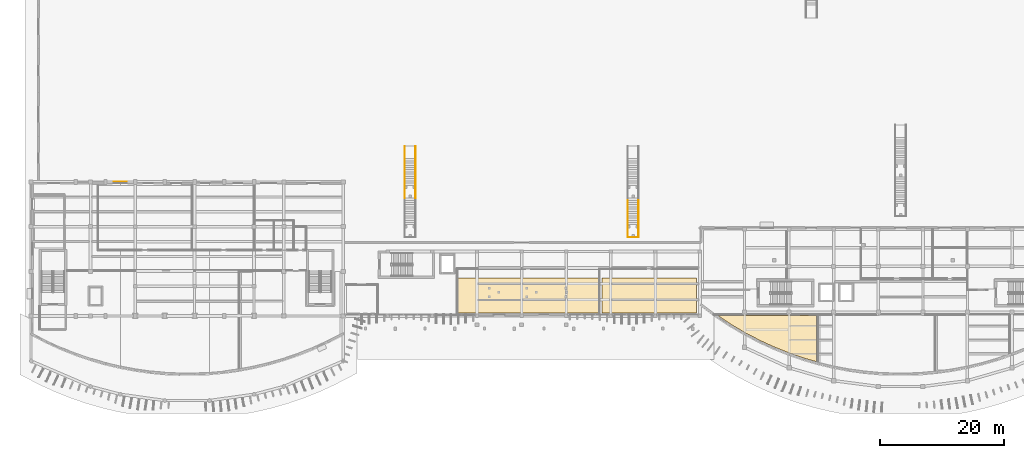
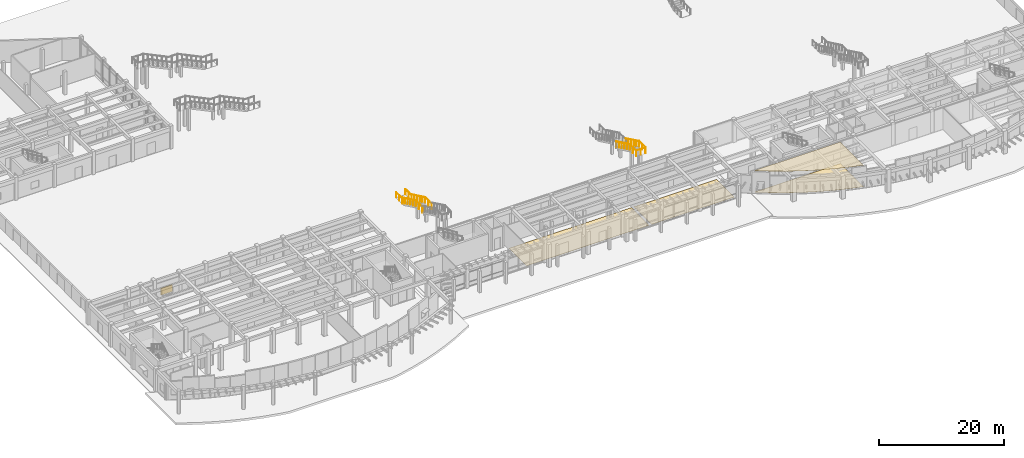
# One storey, part 49 of 58: 11 railings, 4 coverings, 1 shading device.
"""IFC4 building model written with IfcOpenShell, lengths in metres."""

from ifc_helpers import new_model, si_unit, direction, frame, origin, origin_2d, place, context, subcontext, project, spatial, polyline, rectangle, circle, outline, extrude, material, layer, layer_set, type_object, element, save


model = new_model("IFC4")

# Units and contexts
model_context = context("Model", 3, precision=1e-05, world=origin(), true_north=direction((0.0, 1.0)))
body_context = subcontext(model_context, "Body", "Model", "MODEL_VIEW")
ifc_project = project(units=[si_unit("LENGTHUNIT", "METRE"), si_unit("AREAUNIT", "SQUARE_METRE"), si_unit("VOLUMEUNIT", "CUBIC_METRE"), si_unit("PLANEANGLEUNIT", "RADIAN"), si_unit("MASSUNIT", "GRAM", prefix="KILO")], contexts=[model_context])

# Site, building, storey
site_placement = place(None, origin())
site = spatial("IfcSite", under=ifc_project, at=site_placement, CompositionType="ELEMENT")
building_placement = place(site_placement, origin())
building = spatial("IfcBuilding", under=site, at=building_placement, Name="Brisavento Harbour Community Centre", CompositionType="ELEMENT")
storey_placement = place(building_placement, origin())
storey = spatial("IfcBuildingStorey", under=building, at=storey_placement, Name="L00", CompositionType="ELEMENT", Elevation=0.0)

# Coverings
ifc_material_1 = material(Name="Perforated acoustic gypsum ceiling board", Category="other")
ifc_layer_1 = layer(ifc_material_1, 0.02490234375, Name="Perforated acoustic gypsum ceiling board")
ifc_layer_set_1 = layer_set([ifc_layer_1], Name="Perforated acoustic gypsum ceiling board")
covering_type_1 = type_object("IfcCoveringType", Name="COV-CEIL-AC", PredefinedType="CEILING", material=ifc_layer_set_1)
covering_1_placement = place(storey_placement, frame((0.0, 0.0, 4.215087890625)))
element("IfcCovering", 1, at=covering_1_placement, inside=storey, type_object=covering_type_1, Name="L00 Nursery Playroom East acoustic ceiling", PredefinedType="CEILING", context=body_context, shape_type="SweptSolid", body=[
    extrude(outline(polyline([(110.8955078125, 14.449951171875), (112.996826171875, 13.042724609375), (115.37939453125, 11.637939453125), (117.762451171875, 10.397705078125), (120.145263671875, 9.30908203125), (122.5283203125, 8.362060546875), (124.9111328125, 7.548095703125), (126.85009765625, 6.9892578125), (126.85009765625, 14.449951171875), (110.8955078125, 14.449951171875)])), origin(), (0.0, 0.0, 1.0), 0.02490234375),
])
ifc_material_2 = material(Name="Polished marine terrazzo tile", Category="other")
ifc_layer_2 = layer(ifc_material_2, 0.02001953125, Name="Polished marine terrazzo tile")
ifc_layer_set_2 = layer_set([ifc_layer_2], Name="Polished marine terrazzo tile")
covering_type_2 = type_object("IfcCoveringType", Name="COV-FLR-TRZ", PredefinedType="FLOORING", material=ifc_layer_set_2)
covering_2_placement = place(storey_placement, origin())
element("IfcCovering", 2, at=covering_2_placement, inside=storey, type_object=covering_type_2, Name="L00 Civic Entrance Concourse terrazzo flooring", PredefinedType="FLOORING", context=body_context, shape_type="SweptSolid", body=[
    extrude(outline(polyline([(68.949951171875, 14.85009765625), (91.64990234375, 14.85009765625), (91.64990234375, 20.530029296875), (68.949951171875, 20.530029296875), (68.949951171875, 14.85009765625)])), origin(), (0.0, 0.0, 1.0), 0.02001953125),
])
covering_3_placement = place(storey_placement, origin())
element("IfcCovering", 3, at=covering_3_placement, inside=storey, type_object=covering_type_2, Name="L00 Waterfront Cafe terrazzo flooring", PredefinedType="FLOORING", context=body_context, shape_type="SweptSolid", body=[
    extrude(outline(polyline([(107.449951171875, 14.85009765625), (107.449951171875, 20.530029296875), (92.14990234375, 20.530029296875), (92.14990234375, 14.85009765625), (107.449951171875, 14.85009765625)])), origin(), (0.0, 0.0, 1.0), 0.02001953125),
])
covering_4_placement = place(storey_placement, origin())
element("IfcCovering", 4, at=covering_4_placement, inside=storey, type_object=covering_type_2, Name="L00 Nursery Playroom East terrazzo flooring", PredefinedType="FLOORING", context=body_context, shape_type="SweptSolid", body=[
    extrude(outline(polyline([(110.8955078125, 14.449951171875), (112.996826171875, 13.042724609375), (115.37939453125, 11.637939453125), (117.762451171875, 10.397705078125), (120.145263671875, 9.30908203125), (122.5283203125, 8.362060546875), (124.9111328125, 7.548095703125), (126.85009765625, 6.9892578125), (126.85009765625, 14.449951171875), (110.8955078125, 14.449951171875)])), origin(), (0.0, 0.0, 1.0), 0.02001953125),
])

# Railings
ifc_material_3 = material(Name="Stainless steel 1.4401", Category="steel")
railing_type = type_object("IfcRailingType", Name="RL-ST-GUARD", PredefinedType="GUARDRAIL", material=ifc_material_3)
railing_1_placement = place(storey_placement, frame((60.330078125, 41.81005859375, 0.0)))
element("IfcRailing", 5, at=railing_1_placement, inside=storey, type_object=railing_type, Name="L00 MST-01 L L1 stair guard", PredefinedType="GUARDRAIL", context=body_context, shape_type="SweptSolid", body=[
    extrude(circle(Radius=0.02392578125, at=origin_2d()), frame((0.0, 0.0, 1.09619140625), z_axis=(0.0, -1.0, 0.0), x_axis=(1.0, 0.0, 0.0)), (0.0, 0.0, 1.0), 2.010009765625),
    extrude(circle(Radius=0.02099609375, at=origin_2d()), origin(), (0.0, 0.0, 1.0), 1.072021484375),
    extrude(circle(Radius=0.02099609375, at=origin_2d()), frame((0.0, -1.0048828125, 0.0)), (0.0, 0.0, 1.0), 1.072021484375),
    extrude(circle(Radius=0.02099609375, at=origin_2d()), frame((0.0, -2.010009765625, 0.0)), (0.0, 0.0, 1.0), 1.072021484375),
])
railing_2_placement = place(storey_placement, frame((60.330078125, 39.800048828125, 0.173095703125)))
element("IfcRailing", 6, at=railing_2_placement, inside=storey, type_object=railing_type, Name="L00 MST-01 L F1 stair guard", PredefinedType="GUARDRAIL", context=body_context, shape_type="SweptSolid", body=[
    extrude(circle(Radius=0.02392578125, at=origin_2d()), frame((0.0, 0.0, 1.09619140625), z_axis=(0.0, -0.901256631912, 0.433285683395), x_axis=(1.0, 0.0, 0.0)), (0.0, 0.0, 1.0), 4.79345703125),
    extrude(circle(Radius=0.02099609375, at=origin_2d()), origin(), (0.0, 0.0, 1.0), 1.072021484375),
    extrude(circle(Radius=0.02099609375, at=origin_2d()), frame((0.0, -0.864013671875, 0.415283203125)), (0.0, 0.0, 1.0), 1.072021484375),
    extrude(circle(Radius=0.02099609375, at=origin_2d()), frame((0.0, -1.72802734375, 0.830810546875)), (0.0, 0.0, 1.0), 1.072021484375),
    extrude(circle(Radius=0.02099609375, at=origin_2d()), frame((0.0, -2.592041015625, 1.24609375)), (0.0, 0.0, 1.0), 1.072021484375),
    extrude(circle(Radius=0.02099609375, at=origin_2d()), frame((0.0, -3.4560546875, 1.66162109375)), (0.0, 0.0, 1.0), 1.072021484375),
    extrude(circle(Radius=0.02099609375, at=origin_2d()), frame((0.0, -4.320068359375, 2.076904296875)), (0.0, 0.0, 1.0), 1.072021484375),
])
railing_3_placement = place(storey_placement, frame((60.330078125, 35.52001953125, 2.25)))
element("IfcRailing", 7, at=railing_3_placement, inside=storey, type_object=railing_type, Name="L00 MST-01 L L2 stair guard", PredefinedType="GUARDRAIL", context=body_context, shape_type="SweptSolid", body=[
    extrude(circle(Radius=0.02392578125, at=origin_2d()), frame((0.0, 0.0, 1.09619140625), z_axis=(0.0, -1.0, 0.0), x_axis=(1.0, 0.0, 0.0)), (0.0, 0.0, 1.0), 2.130126953125),
    extrude(circle(Radius=0.02099609375, at=origin_2d()), origin(), (0.0, 0.0, 1.0), 1.072021484375),
    extrude(circle(Radius=0.02099609375, at=origin_2d()), frame((0.0, -1.06494140625, 0.0)), (0.0, 0.0, 1.0), 1.072021484375),
    extrude(circle(Radius=0.02099609375, at=origin_2d()), frame((0.0, -2.130126953125, 0.0)), (0.0, 0.0, 1.0), 1.072021484375),
])
railing_4_placement = place(storey_placement, frame((62.070068359375, 41.81005859375, 0.0)))
element("IfcRailing", 8, at=railing_4_placement, inside=storey, type_object=railing_type, Name="L00 MST-01 R L1 stair guard", PredefinedType="GUARDRAIL", context=body_context, shape_type="SweptSolid", body=[
    extrude(circle(Radius=0.02392578125, at=origin_2d()), frame((0.0, 0.0, 1.09619140625), z_axis=(0.0, -1.0, 0.0), x_axis=(1.0, 0.0, 0.0)), (0.0, 0.0, 1.0), 2.010009765625),
    extrude(circle(Radius=0.02099609375, at=origin_2d()), origin(), (0.0, 0.0, 1.0), 1.072021484375),
    extrude(circle(Radius=0.02099609375, at=origin_2d()), frame((0.0, -1.0048828125, 0.0)), (0.0, 0.0, 1.0), 1.072021484375),
    extrude(circle(Radius=0.02099609375, at=origin_2d()), frame((0.0, -2.010009765625, 0.0)), (0.0, 0.0, 1.0), 1.072021484375),
])
railing_5_placement = place(storey_placement, frame((62.070068359375, 39.800048828125, 0.173095703125)))
element("IfcRailing", 9, at=railing_5_placement, inside=storey, type_object=railing_type, Name="L00 MST-01 R F1 stair guard", PredefinedType="GUARDRAIL", context=body_context, shape_type="SweptSolid", body=[
    extrude(circle(Radius=0.02392578125, at=origin_2d()), frame((0.0, 0.0, 1.09619140625), z_axis=(0.0, -0.901256631912, 0.433285683395), x_axis=(1.0, 0.0, 0.0)), (0.0, 0.0, 1.0), 4.79345703125),
    extrude(circle(Radius=0.02099609375, at=origin_2d()), origin(), (0.0, 0.0, 1.0), 1.072021484375),
    extrude(circle(Radius=0.02099609375, at=origin_2d()), frame((0.0, -0.864013671875, 0.415283203125)), (0.0, 0.0, 1.0), 1.072021484375),
    extrude(circle(Radius=0.02099609375, at=origin_2d()), frame((0.0, -1.72802734375, 0.830810546875)), (0.0, 0.0, 1.0), 1.072021484375),
    extrude(circle(Radius=0.02099609375, at=origin_2d()), frame((0.0, -2.592041015625, 1.24609375)), (0.0, 0.0, 1.0), 1.072021484375),
    extrude(circle(Radius=0.02099609375, at=origin_2d()), frame((0.0, -3.4560546875, 1.66162109375)), (0.0, 0.0, 1.0), 1.072021484375),
    extrude(circle(Radius=0.02099609375, at=origin_2d()), frame((0.0, -4.320068359375, 2.076904296875)), (0.0, 0.0, 1.0), 1.072021484375),
])
railing_6_placement = place(storey_placement, frame((62.070068359375, 35.52001953125, 2.25)))
element("IfcRailing", 10, at=railing_6_placement, inside=storey, type_object=railing_type, Name="L00 MST-01 R L2 stair guard", PredefinedType="GUARDRAIL", context=body_context, shape_type="SweptSolid", body=[
    extrude(circle(Radius=0.02392578125, at=origin_2d()), frame((0.0, 0.0, 1.09619140625), z_axis=(0.0, -1.0, 0.0), x_axis=(1.0, 0.0, 0.0)), (0.0, 0.0, 1.0), 2.130126953125),
    extrude(circle(Radius=0.02099609375, at=origin_2d()), origin(), (0.0, 0.0, 1.0), 1.072021484375),
    extrude(circle(Radius=0.02099609375, at=origin_2d()), frame((0.0, -1.06494140625, 0.0)), (0.0, 0.0, 1.0), 1.072021484375),
    extrude(circle(Radius=0.02099609375, at=origin_2d()), frame((0.0, -2.130126953125, 0.0)), (0.0, 0.0, 1.0), 1.072021484375),
])
railing_7_placement = place(storey_placement, frame((96.330078125, 33.429931640625, 2.423095703125)))
element("IfcRailing", 11, at=railing_7_placement, inside=storey, type_object=railing_type, Name="L00 MST-02 L F2 stair guard", PredefinedType="GUARDRAIL", context=body_context, shape_type="SweptSolid", body=[
    extrude(circle(Radius=0.02392578125, at=origin_2d()), frame((0.0, 0.0, 1.09619140625), z_axis=(0.0, -0.901247069301, 0.433305573558), x_axis=(1.0, 0.0, 0.0)), (0.0, 0.0, 1.0), 4.793212890625),
    extrude(circle(Radius=0.02099609375, at=origin_2d()), origin(), (0.0, 0.0, 1.0), 1.072021484375),
    extrude(circle(Radius=0.02099609375, at=origin_2d()), frame((0.0, -0.864013671875, 0.415283203125)), (0.0, 0.0, 1.0), 1.072021484375),
    extrude(circle(Radius=0.02099609375, at=origin_2d()), frame((0.0, -1.72802734375, 0.830810546875)), (0.0, 0.0, 1.0), 1.072021484375),
    extrude(circle(Radius=0.02099609375, at=origin_2d()), frame((0.0, -2.591796875, 1.24609375)), (0.0, 0.0, 1.0), 1.072021484375),
    extrude(circle(Radius=0.02099609375, at=origin_2d()), frame((0.0, -3.455810546875, 1.66162109375)), (0.0, 0.0, 1.0), 1.072021484375),
    extrude(circle(Radius=0.02099609375, at=origin_2d()), frame((0.0, -4.31982421875, 2.076904296875)), (0.0, 0.0, 1.0), 1.072021484375),
])
railing_8_placement = place(storey_placement, frame((96.330078125, 29.14990234375, 4.5)))
element("IfcRailing", 12, at=railing_8_placement, inside=storey, type_object=railing_type, Name="L00 MST-02 L L3 stair guard", PredefinedType="GUARDRAIL", context=body_context, shape_type="SweptSolid", body=[
    extrude(circle(Radius=0.02392578125, at=origin_2d()), frame((0.0, 0.0, 1.09619140625), z_axis=(0.0, -1.0, 0.0), x_axis=(1.0, 0.0, 0.0)), (0.0, 0.0, 1.0), 2.0498046875),
    extrude(circle(Radius=0.02099609375, at=origin_2d()), origin(), (0.0, 0.0, 1.0), 1.072021484375),
    extrude(circle(Radius=0.02099609375, at=origin_2d()), frame((0.0, -1.02490234375, 0.0)), (0.0, 0.0, 1.0), 1.072021484375),
    extrude(circle(Radius=0.02099609375, at=origin_2d()), frame((0.0, -2.0498046875, 0.0)), (0.0, 0.0, 1.0), 1.072021484375),
])
railing_9_placement = place(storey_placement, frame((98.070068359375, 33.429931640625, 2.423095703125)))
element("IfcRailing", 13, at=railing_9_placement, inside=storey, type_object=railing_type, Name="L00 MST-02 R F2 stair guard", PredefinedType="GUARDRAIL", context=body_context, shape_type="SweptSolid", body=[
    extrude(circle(Radius=0.02392578125, at=origin_2d()), frame((0.0, 0.0, 1.09619140625), z_axis=(0.0, -0.901247069301, 0.433305573558), x_axis=(1.0, 0.0, 0.0)), (0.0, 0.0, 1.0), 4.793212890625),
    extrude(circle(Radius=0.02099609375, at=origin_2d()), origin(), (0.0, 0.0, 1.0), 1.072021484375),
    extrude(circle(Radius=0.02099609375, at=origin_2d()), frame((0.0, -0.864013671875, 0.415283203125)), (0.0, 0.0, 1.0), 1.072021484375),
    extrude(circle(Radius=0.02099609375, at=origin_2d()), frame((0.0, -1.72802734375, 0.830810546875)), (0.0, 0.0, 1.0), 1.072021484375),
    extrude(circle(Radius=0.02099609375, at=origin_2d()), frame((0.0, -2.591796875, 1.24609375)), (0.0, 0.0, 1.0), 1.072021484375),
    extrude(circle(Radius=0.02099609375, at=origin_2d()), frame((0.0, -3.455810546875, 1.66162109375)), (0.0, 0.0, 1.0), 1.072021484375),
    extrude(circle(Radius=0.02099609375, at=origin_2d()), frame((0.0, -4.31982421875, 2.076904296875)), (0.0, 0.0, 1.0), 1.072021484375),
])
railing_10_placement = place(storey_placement, frame((98.070068359375, 29.14990234375, 4.5)))
element("IfcRailing", 14, at=railing_10_placement, inside=storey, type_object=railing_type, Name="L00 MST-02 R L3 stair guard", PredefinedType="GUARDRAIL", context=body_context, shape_type="SweptSolid", body=[
    extrude(circle(Radius=0.02392578125, at=origin_2d()), frame((0.0, 0.0, 1.09619140625), z_axis=(0.0, -1.0, 0.0), x_axis=(1.0, 0.0, 0.0)), (0.0, 0.0, 1.0), 2.0498046875),
    extrude(circle(Radius=0.02099609375, at=origin_2d()), origin(), (0.0, 0.0, 1.0), 1.072021484375),
    extrude(circle(Radius=0.02099609375, at=origin_2d()), frame((0.0, -1.02490234375, 0.0)), (0.0, 0.0, 1.0), 1.072021484375),
    extrude(circle(Radius=0.02099609375, at=origin_2d()), frame((0.0, -2.0498046875, 0.0)), (0.0, 0.0, 1.0), 1.072021484375),
])
railing_11_placement = place(storey_placement, frame((96.330078125, 27.10009765625, 4.5)))
element("IfcRailing", 15, at=railing_11_placement, inside=storey, type_object=railing_type, Name="L00 MST-02 top landing end guard", PredefinedType="GUARDRAIL", context=body_context, shape_type="SweptSolid", body=[
    extrude(circle(Radius=0.02392578125, at=origin_2d()), frame((0.0, 0.0, 1.09619140625), z_axis=(1.0, 0.0, 0.0), x_axis=(0.0, 1.0, 0.0)), (0.0, 0.0, 1.0), 1.739990234375),
    extrude(circle(Radius=0.02099609375, at=origin_2d()), origin(), (0.0, 0.0, 1.0), 1.072021484375),
    extrude(circle(Radius=0.02099609375, at=origin_2d()), frame((0.8701171875, 0.0, 0.0)), (0.0, 0.0, 1.0), 1.072021484375),
    extrude(circle(Radius=0.02099609375, at=origin_2d()), frame((1.739990234375, 0.0, 0.0)), (0.0, 0.0, 1.0), 1.072021484375),
])

# Shading device
ifc_material_4 = material(Name="Marine-anodised aluminium AW-6063-T6", Category="aluminium")
ifc_layer_3 = layer(ifc_material_4, 0.1201171875, Name="Marine-anodised aluminium AW-6063-T6")
ifc_layer_set_3 = layer_set([ifc_layer_3], Name="Marine-anodised aluminium AW-6063-T6")
shading_device_type = type_object("IfcShadingDeviceType", Name="SHD-LOUVRE", PredefinedType="JALOUSIE", material=ifc_layer_set_3)
shading_device_placement = place(storey_placement, frame((14.39990234375, 36.02490234375, 0.89990234375), z_axis=(0.0, 0.0, 1.0), x_axis=(1.0, 0.0, 0.0)))
element("IfcShadingDevice", 16, at=shading_device_placement, inside=storey, type_object=shading_device_type, Name="L00 hurricane storm louvre 02", PredefinedType="JALOUSIE", context=body_context, shape_type="SweptSolid", body=[
    extrude(rectangle(XDim=2.10009765625, YDim=0.1201171875, at=origin_2d()), origin(), (0.0, 0.0, 1.0), 1.35009765625),
])

save(model, "model.ifc")
